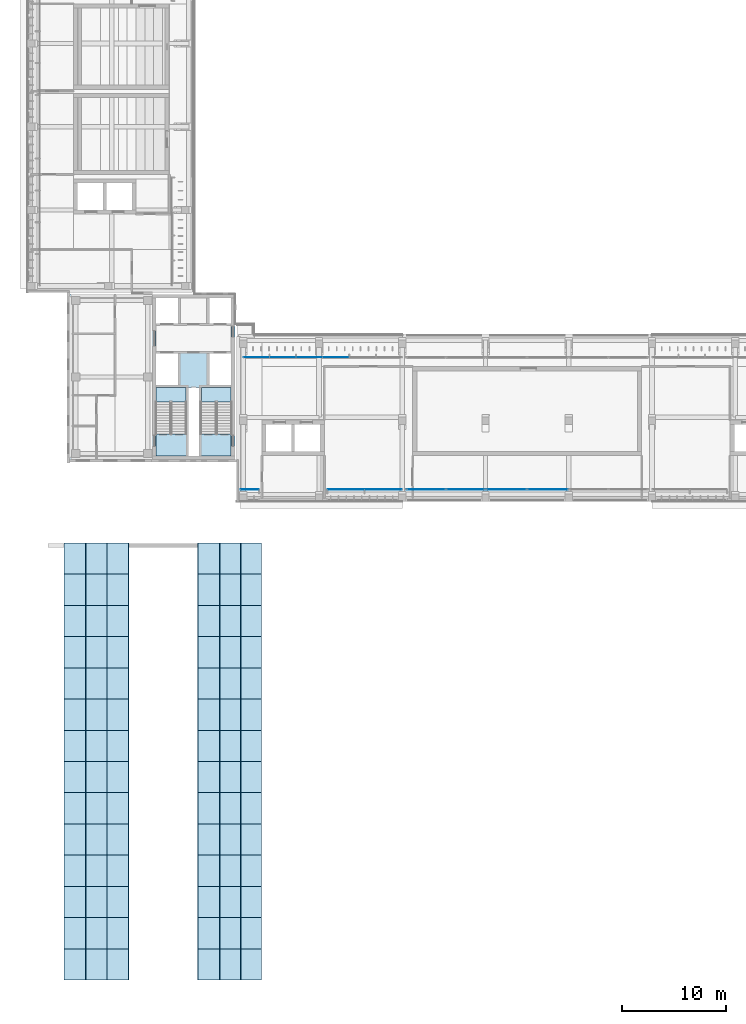
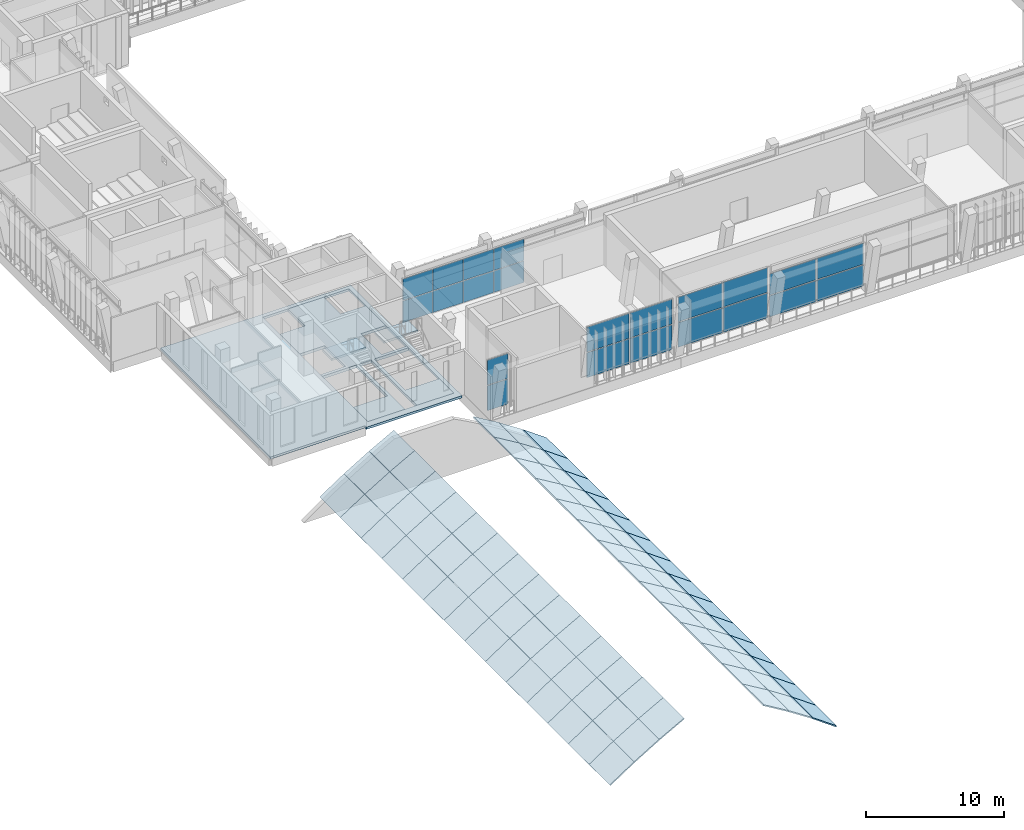
# One storey, part 36 of 74: 88 slabs, 22 plates, 7 elements without a shape of their own.
"""IFC4 building model written with IfcOpenShell, lengths in metres."""

import ifcopenshell
import ifcopenshell.guid

model = None  # the IFC model being written
_history = None  # IfcOwnerHistory: only IFC2X3 demands one
_inside = {}  # id of a spatial element -> (the spatial element, [elements in it])
_under = {}  # id of a project, library or spatial element -> (it, [spatial elements below it])
_declared = {}  # id of a project -> (the project, [libraries it declares])
_typed = {}  # id of a type object -> (the type object, [elements of that type])
_made_of = {}  # id of a material, layer set ... -> (it, [elements and type objects made of it])


def new_model(schema):
    """Start an empty IFC model of exactly this schema.

    Asked for "IFC4X3", IfcOpenShell would pick the latest addendum, in which some entities
    have other attributes; the version numbers below select the first issue.
    IFC2X3 requires an IfcOwnerHistory on every rooted entity: one is made here for all.
    """
    global model, _history
    if schema == "IFC4X3":
        model = ifcopenshell.file(schema_version=(4, 3, 0, 0))
    else:
        model = ifcopenshell.file(schema=schema)
    _inside.clear()
    _under.clear()
    _declared.clear()
    _typed.clear()
    _made_of.clear()
    _history = None
    if model.schema == "IFC2X3":
        org = make("IfcOrganization", Name="unknown")
        user = make(
            "IfcPersonAndOrganization",
            ThePerson=make("IfcPerson", FamilyName="unknown"),
            TheOrganization=org,
        )
        app = make(
            "IfcApplication",
            ApplicationDeveloper=org,
            Version="unknown",
            ApplicationFullName="unknown",
            ApplicationIdentifier="unknown",
        )
        _history = make(
            "IfcOwnerHistory",
            OwningUser=user,
            OwningApplication=app,
            ChangeAction="ADDED",
            CreationDate=0,
        )
    return model


def make(cls, **values):
    """One entity of the class cls with the attributes given. An attribute that is None is left unset."""
    return model.create_entity(
        cls, **{name: value for name, value in values.items() if value is not None}
    )


def rooted(cls, **values):
    """An entity with a GlobalId (a new one), such as an element, a storey or a relation."""
    return make(cls, GlobalId=ifcopenshell.guid.new(), OwnerHistory=_history, **values)


def si_unit(unit_type, name, prefix=None):
    """IfcSIUnit, for example si_unit("LENGTHUNIT", "METRE", prefix="MILLI")."""
    return make("IfcSIUnit", UnitType=unit_type, Prefix=prefix, Name=name)


def assignment(units):
    """IfcUnitAssignment: the units of a project."""
    return None if units is None else make("IfcUnitAssignment", Units=units)


def point(xyz):
    """IfcCartesianPoint."""
    return None if xyz is None else make("IfcCartesianPoint", Coordinates=xyz)


def direction(xyz):
    """IfcDirection."""
    return None if xyz is None else make("IfcDirection", DirectionRatios=xyz)


def frame(location, z_axis=None, x_axis=None):
    """IfcAxis2Placement3D, a coordinate frame: its origin and axes. An axis left out is left unset."""
    return make(
        "IfcAxis2Placement3D",
        Location=point(location),
        Axis=direction(z_axis),
        RefDirection=direction(x_axis),
    )


def frame_2d(location, x_axis=None):
    """IfcAxis2Placement2D, a coordinate frame in the plane: its origin and x axis."""
    return make(
        "IfcAxis2Placement2D", Location=point(location), RefDirection=direction(x_axis)
    )


def origin():
    """The frame at (0, 0, 0) with its axes left unset."""
    return frame((0.0, 0.0, 0.0))


def origin_2d():
    """The frame at (0, 0) in the plane with its x axis left unset."""
    return frame_2d((0.0, 0.0))


def place(relative_to, where):
    """IfcLocalPlacement: puts the frame where relative to a parent placement (None: the world)."""
    return make(
        "IfcLocalPlacement", PlacementRelTo=relative_to, RelativePlacement=where
    )


def context(
    kind, dimensions, precision=None, world=None, true_north=None, identifier=None
):
    """IfcGeometricRepresentationContext, for example the 3D "Model" context."""
    return make(
        "IfcGeometricRepresentationContext",
        ContextIdentifier=identifier,
        ContextType=kind,
        CoordinateSpaceDimension=dimensions,
        Precision=precision,
        WorldCoordinateSystem=world,
        TrueNorth=true_north,
    )


def subcontext(parent, identifier, kind, view, scale=None):
    """IfcGeometricRepresentationSubContext, for example "Body" below "Model"."""
    return make(
        "IfcGeometricRepresentationSubContext",
        ContextIdentifier=identifier,
        ContextType=kind,
        ParentContext=parent,
        TargetScale=scale,
        TargetView=view,
    )


def project(units=None, contexts=None):
    """IfcProject with its units and contexts."""
    return rooted(
        "IfcProject",
        Name="project",
        RepresentationContexts=contexts,
        UnitsInContext=assignment(units),
    )


def spatial(cls, under=None, at=None, **own):
    """A site, building, storey or space (cls), placed at a placement, below another one or the project."""
    s = rooted(cls, ObjectPlacement=at, **own)
    if under is not None:
        _under.setdefault(under.id(), (under, []))[1].append(s)
    return s


def polyline(points):
    """IfcPolyline through the points."""
    return make("IfcPolyline", Points=[point(p) for p in points])


def profile(cls, at=None, kind="AREA", **sizes):
    """A parametric profile (cls). Its sizes go by their IFC names, for example OverallWidth=200.0."""
    return make(cls, ProfileType=kind, Position=at, **sizes)


def rectangle(**sizes):
    """IfcRectangleProfileDef."""
    return profile("IfcRectangleProfileDef", **sizes)


def outline(outer, holes=None, kind="AREA"):
    """IfcArbitraryClosedProfileDef: a profile drawn as a closed curve; with holes, ...WithVoids."""
    if holes is None:
        return make("IfcArbitraryClosedProfileDef", ProfileType=kind, OuterCurve=outer)
    return make(
        "IfcArbitraryProfileDefWithVoids",
        ProfileType=kind,
        OuterCurve=outer,
        InnerCurves=holes,
    )


def extrude(swept, where, along, depth):
    """IfcExtrudedAreaSolid: the profile swept, set in the frame where, extruded along a direction by depth."""
    return make(
        "IfcExtrudedAreaSolid",
        SweptArea=swept,
        Position=where,
        ExtrudedDirection=direction(along),
        Depth=depth,
    )


def shape(context_of_items, identifier, shape_type, items):
    """IfcShapeRepresentation: the items that make up one representation, for example the "Body"."""
    return make(
        "IfcShapeRepresentation",
        ContextOfItems=context_of_items,
        RepresentationIdentifier=identifier,
        RepresentationType=shape_type,
        Items=items,
    )


def material(Name=None, Category=None):
    """IfcMaterial."""
    return make("IfcMaterial", Name=Name, Category=Category)


def layer(
    of_material, thickness, ventilated=None, Name=None, Category=None, Priority=None
):
    """IfcMaterialLayer: one layer of a wall or slab, of a material (None: an air gap)."""
    return make(
        "IfcMaterialLayer",
        Material=of_material,
        LayerThickness=thickness,
        IsVentilated=ventilated,
        Name=Name,
        Category=Category,
        Priority=Priority,
    )


def layer_set(layers, Name=None):
    """IfcMaterialLayerSet."""
    return make("IfcMaterialLayerSet", MaterialLayers=layers, LayerSetName=Name)


def made_of(thing, what):
    """Note that an element or type object is made of a material, layer set ...; save() writes the relation."""
    if what is not None:
        _made_of.setdefault(what.id(), (what, []))[1].append(thing)
    return thing


def type_object(cls, material=None, **own):
    """A type object (cls), such as IfcWallType, which elements share."""
    return made_of(rooted(cls, **own), material)


def element(
    cls,
    number,
    at=None,
    inside=None,
    cuts=None,
    type_object=None,
    material=None,
    context=None,
    identifier="Body",
    shape_type=None,
    held_by="IfcProductDefinitionShape",
    body=None,
    shapes=None,
    **own,
):
    """One element of the class cls, such as IfcWall. Its Tag is "e" and its number.

    at: its placement. inside: the storey or other place that contains it. cuts: it is an
    opening in that element (IfcRelVoidsElement). A single representation is given by context,
    identifier, shape_type and body (its items); several are given by shapes. held_by: the class
    of the entity that holds the representations. save() writes the other relations.
    """
    e = rooted(cls, Tag="e%d" % number, ObjectPlacement=at, **own)
    if body is not None:
        shapes = [shape(context, identifier, shape_type, body)]
    if shapes is not None:
        e.Representation = make(held_by, Representations=shapes)
    if inside is not None:
        _inside.setdefault(inside.id(), (inside, []))[1].append(e)
    if cuts is not None:
        rooted(
            "IfcRelVoidsElement", RelatingBuildingElement=cuts, RelatedOpeningElement=e
        )
    if type_object is not None:
        _typed.setdefault(type_object.id(), (type_object, []))[1].append(e)
    return made_of(e, material)


def aggregate(whole, parts):
    """IfcRelAggregates: a whole, such as a stair, and the parts it consists of."""
    return rooted("IfcRelAggregates", RelatingObject=whole, RelatedObjects=parts)


def save(model, path):
    """Write the relations noted so far, then the file.

    IfcRelAggregates (storeys below a building ...), IfcRelContainedInSpatialStructure (elements
    in a storey), IfcRelDefinesByType, IfcRelAssociatesMaterial and IfcRelDeclares: one each for
    every whole, place, type object, material and project.
    """
    for whole, parts in _under.values():
        aggregate(whole, parts)
    for where, things in _inside.values():
        rooted(
            "IfcRelContainedInSpatialStructure",
            RelatedElements=things,
            RelatingStructure=where,
        )
    for kind, things in _typed.values():
        rooted("IfcRelDefinesByType", RelatedObjects=things, RelatingType=kind)
    for what, things in _made_of.values():
        rooted("IfcRelAssociatesMaterial", RelatedObjects=things, RelatingMaterial=what)
    for by, libraries in _declared.values():
        rooted("IfcRelDeclares", RelatingContext=by, RelatedDefinitions=libraries)
    model.write(path)


model = new_model("IFC4")

# Units and contexts
model_context = context("Model", 3, precision=1e-05, world=origin(), true_north=direction((0.0, 1.0)))
body_context = subcontext(model_context, "Body", "Model", "MODEL_VIEW")
ifc_project = project(units=[si_unit("LENGTHUNIT", "METRE"), si_unit("AREAUNIT", "SQUARE_METRE"), si_unit("VOLUMEUNIT", "CUBIC_METRE"), si_unit("PLANEANGLEUNIT", "RADIAN"), si_unit("MASSUNIT", "GRAM", prefix="KILO")], contexts=[model_context])

# Site, building, storey
site_placement = place(None, origin())
site = spatial("IfcSite", under=ifc_project, at=site_placement, CompositionType="ELEMENT")
building_placement = place(site_placement, origin())
building = spatial("IfcBuilding", under=site, at=building_placement, Name="Lantern Court Media Centre", CompositionType="ELEMENT")
storey_placement = place(building_placement, frame((0.0, 0.0, 19.199951171875)))
storey = spatial("IfcBuildingStorey", under=building, at=storey_placement, Name="L04", CompositionType="ELEMENT", Elevation=19.199951171875)

# Slab
ifc_material_1 = material(Name="Concrete C40", Category="concrete")
ifc_layer_1 = layer(ifc_material_1, 0.25)
ifc_layer_set_1 = layer_set([ifc_layer_1], Name="Concrete C40")
slab_type_1 = type_object("IfcSlabType", Name="Core floor slab 250", PredefinedType="FLOOR", material=ifc_layer_set_1)
slab_1_placement = place(storey_placement, frame((0.0, 0.0, -0.25)))
element("IfcSlab", 1, at=slab_1_placement, inside=storey, type_object=slab_type_1, Name="L04 SW core floor", PredefinedType="FLOOR", context=body_context, shape_type="SweptSolid", body=[
    extrude(outline(polyline([(16.35009765625, 58.199951171875), (16.35009765625, 61.10009765625), (18.449951171875, 61.10009765625), (18.449951171875, 63.550048828125), (21.449951171875, 63.550048828125), (21.449951171875, 61.10009765625), (23.550048828125, 61.10009765625), (23.550048828125, 58.199951171875), (21.449951171875, 58.199951171875), (21.449951171875, 55.199951171875), (23.550048828125, 55.199951171875), (23.550048828125, 54.94970703125), (20.700439453125, 54.94970703125), (20.700439453125, 50.450439453125), (23.550048828125, 50.450439453125), (23.550048828125, 48.35009765625), (20.449951171875, 48.35009765625), (20.449951171875, 54.949951171875), (19.449951171875, 54.949951171875), (19.449951171875, 48.35009765625), (16.35009765625, 48.35009765625), (16.35009765625, 50.450439453125), (19.19970703125, 50.450439453125), (19.19970703125, 54.94970703125), (16.35009765625, 54.94970703125), (16.35009765625, 55.199951171875), (18.449951171875, 55.199951171875), (18.449951171875, 58.199951171875), (16.35009765625, 58.199951171875)])), origin(), (0.0, 0.0, 1.0), 0.25),
])

# Curtain wall, plates
ifc_material_2 = material(Name="Curtain wall bay 2400")
curtain_wall_type_1 = type_object("IfcCurtainWallType", Name="Curtain wall bay 2400", PredefinedType="NOTDEFINED", material=ifc_material_2)
curtain_wall_1_placement = place(storey_placement, origin())
curtain_wall_1 = element("IfcCurtainWall", 2, at=curtain_wall_1_placement, inside=storey, type_object=curtain_wall_type_1, Name="Curtain wall S inner L04", PredefinedType="NOTDEFINED")
ifc_material_3 = material(Name="Low-iron double glazed unit glass", Category="glass")
ifc_layer_2 = layer(ifc_material_3, 0.02392578125)
ifc_layer_set_2 = layer_set([ifc_layer_2], Name="Low-iron double glazed unit glass")
plate_type_1 = type_object("IfcPlateType", Name="Curtain wall glazing unit 24", PredefinedType="CURTAIN_PANEL", material=ifc_layer_set_2)
plate_1_placement = place(storey_placement, frame((25.987548828125, 57.85009765625, 0.050048828125), z_axis=(0.0, 0.0, 1.0), x_axis=(1.0, 0.0, 0.0)))
plate_1 = element("IfcPlate", 3, at=plate_1_placement, type_object=plate_type_1, Name="CW2 panel 1.1", PredefinedType="CURTAIN_PANEL", context=body_context, shape_type="SweptSolid", body=[
    extrude(rectangle(XDim=2.47509765625, YDim=0.02392578125, at=origin_2d()), origin(), (0.0, 0.0, 1.0), 1.89990234375),
])
plate_2_placement = place(storey_placement, frame((25.987548828125, 57.85009765625, 2.0), z_axis=(0.0, 0.0, 1.0), x_axis=(1.0, 0.0, 0.0)))
plate_2 = element("IfcPlate", 4, at=plate_2_placement, type_object=plate_type_1, Name="CW2 panel 1.2", PredefinedType="CURTAIN_PANEL", context=body_context, shape_type="SweptSolid", body=[
    extrude(rectangle(XDim=2.47509765625, YDim=0.02392578125, at=origin_2d()), origin(), (0.0, 0.0, 1.0), 1.89990234375),
])
plate_3_placement = place(storey_placement, frame((28.52490234375, 57.85009765625, 0.050048828125), z_axis=(0.0, 0.0, 1.0), x_axis=(1.0, 0.0, 0.0)))
plate_3 = element("IfcPlate", 5, at=plate_3_placement, type_object=plate_type_1, Name="CW2 panel 2.1", PredefinedType="CURTAIN_PANEL", context=body_context, shape_type="SweptSolid", body=[
    extrude(rectangle(XDim=2.5, YDim=0.02392578125, at=origin_2d()), origin(), (0.0, 0.0, 1.0), 1.89990234375),
])
plate_4_placement = place(storey_placement, frame((28.52490234375, 57.85009765625, 2.0), z_axis=(0.0, 0.0, 1.0), x_axis=(1.0, 0.0, 0.0)))
plate_4 = element("IfcPlate", 6, at=plate_4_placement, type_object=plate_type_1, Name="CW2 panel 2.2", PredefinedType="CURTAIN_PANEL", context=body_context, shape_type="SweptSolid", body=[
    extrude(rectangle(XDim=2.5, YDim=0.02392578125, at=origin_2d()), origin(), (0.0, 0.0, 1.0), 1.89990234375),
])
plate_5_placement = place(storey_placement, frame((31.074951171875, 57.85009765625, 0.050048828125), z_axis=(0.0, 0.0, 1.0), x_axis=(1.0, 0.0, 0.0)))
plate_5 = element("IfcPlate", 7, at=plate_5_placement, type_object=plate_type_1, Name="CW2 panel 3.1", PredefinedType="CURTAIN_PANEL", context=body_context, shape_type="SweptSolid", body=[
    extrude(rectangle(XDim=2.5, YDim=0.02392578125, at=origin_2d()), origin(), (0.0, 0.0, 1.0), 1.89990234375),
])
plate_6_placement = place(storey_placement, frame((31.074951171875, 57.85009765625, 2.0), z_axis=(0.0, 0.0, 1.0), x_axis=(1.0, 0.0, 0.0)))
plate_6 = element("IfcPlate", 8, at=plate_6_placement, type_object=plate_type_1, Name="CW2 panel 3.2", PredefinedType="CURTAIN_PANEL", context=body_context, shape_type="SweptSolid", body=[
    extrude(rectangle(XDim=2.5, YDim=0.02392578125, at=origin_2d()), origin(), (0.0, 0.0, 1.0), 1.89990234375),
])
plate_7_placement = place(storey_placement, frame((33.625, 57.85009765625, 0.050048828125), z_axis=(0.0, 0.0, 1.0), x_axis=(1.0, 0.0, 0.0)))
plate_7 = element("IfcPlate", 9, at=plate_7_placement, type_object=plate_type_1, Name="CW2 panel 4.1", PredefinedType="CURTAIN_PANEL", context=body_context, shape_type="SweptSolid", body=[
    extrude(rectangle(XDim=2.5, YDim=0.02392578125, at=origin_2d()), origin(), (0.0, 0.0, 1.0), 1.89990234375),
])
plate_8_placement = place(storey_placement, frame((33.625, 57.85009765625, 2.0), z_axis=(0.0, 0.0, 1.0), x_axis=(1.0, 0.0, 0.0)))
plate_8 = element("IfcPlate", 10, at=plate_8_placement, type_object=plate_type_1, Name="CW2 panel 4.2", PredefinedType="CURTAIN_PANEL", context=body_context, shape_type="SweptSolid", body=[
    extrude(rectangle(XDim=2.5, YDim=0.02392578125, at=origin_2d()), origin(), (0.0, 0.0, 1.0), 1.89990234375),
])
aggregate(curtain_wall_1, [plate_1, plate_2, plate_3, plate_4, plate_5, plate_6, plate_7, plate_8])

ifc_material_4 = material(Name="Curtain wall bay 3000")
curtain_wall_type_2 = type_object("IfcCurtainWallType", Name="Curtain wall bay 3000", PredefinedType="NOTDEFINED", material=ifc_material_4)
curtain_wall_2_placement = place(storey_placement, origin())
curtain_wall_2 = element("IfcCurtainWall", 11, at=curtain_wall_2_placement, inside=storey, type_object=curtain_wall_type_2, Name="Curtain wall S outer L04", PredefinedType="NOTDEFINED")
ifc_layer_3 = layer(ifc_material_3, 0.028076171875)
ifc_layer_set_3 = layer_set([ifc_layer_3], Name="Low-iron double glazed unit glass")
plate_type_2 = type_object("IfcPlateType", Name="Curtain wall glazing unit 28", PredefinedType="CURTAIN_PANEL", material=ifc_layer_set_3)
plate_9_placement = place(storey_placement, frame((25.3349609375, 45.14990234375, 0.06005859375), z_axis=(0.0, 0.0, 1.0), x_axis=(1.0, 0.0, 0.0)))
plate_9 = element("IfcPlate", 12, at=plate_9_placement, type_object=plate_type_2, Name="CW1 panel 1.1", PredefinedType="CURTAIN_PANEL", context=body_context, shape_type="SweptSolid", body=[
    extrude(rectangle(XDim=1.7099609375, YDim=0.028076171875, at=origin_2d()), origin(), (0.0, 0.0, 1.0), 2.199951171875),
])
plate_10_placement = place(storey_placement, frame((25.3349609375, 45.14990234375, 2.3203125), z_axis=(0.0, 0.0, 1.0), x_axis=(1.0, 0.0, 0.0)))
plate_10 = element("IfcPlate", 13, at=plate_10_placement, type_object=plate_type_2, Name="CW1 panel 1.2", PredefinedType="CURTAIN_PANEL", context=body_context, shape_type="SweptSolid", body=[
    extrude(rectangle(XDim=1.7099609375, YDim=0.028076171875, at=origin_2d()), origin(), (0.0, 0.0, 1.0), 2.199951171875),
])
aggregate(curtain_wall_2, [plate_9, plate_10])

curtain_wall_3_placement = place(storey_placement, origin())
curtain_wall_3 = element("IfcCurtainWall", 14, at=curtain_wall_3_placement, inside=storey, type_object=curtain_wall_type_2, Name="Curtain wall S outer L04", PredefinedType="NOTDEFINED")
plate_11_placement = place(storey_placement, frame((34.577392578125, 45.14990234375, 0.06005859375), z_axis=(0.0, 0.0, 1.0), x_axis=(1.0, 0.0, 0.0)))
plate_11 = element("IfcPlate", 15, at=plate_11_placement, type_object=plate_type_2, Name="CW1 panel 1.1", PredefinedType="CURTAIN_PANEL", context=body_context, shape_type="SweptSolid", body=[
    extrude(rectangle(XDim=3.534912109375, YDim=0.028076171875, at=origin_2d()), origin(), (0.0, 0.0, 1.0), 2.199951171875),
])
plate_12_placement = place(storey_placement, frame((34.577392578125, 45.14990234375, 2.3203125), z_axis=(0.0, 0.0, 1.0), x_axis=(1.0, 0.0, 0.0)))
plate_12 = element("IfcPlate", 16, at=plate_12_placement, type_object=plate_type_2, Name="CW1 panel 1.2", PredefinedType="CURTAIN_PANEL", context=body_context, shape_type="SweptSolid", body=[
    extrude(rectangle(XDim=3.534912109375, YDim=0.028076171875, at=origin_2d()), origin(), (0.0, 0.0, 1.0), 2.199951171875),
])
plate_13_placement = place(storey_placement, frame((38.172607421875, 45.14990234375, 0.06005859375), z_axis=(0.0, 0.0, 1.0), x_axis=(1.0, 0.0, 0.0)))
plate_13 = element("IfcPlate", 17, at=plate_13_placement, type_object=plate_type_2, Name="CW1 panel 2.1", PredefinedType="CURTAIN_PANEL", context=body_context, shape_type="SweptSolid", body=[
    extrude(rectangle(XDim=3.534912109375, YDim=0.028076171875, at=origin_2d()), origin(), (0.0, 0.0, 1.0), 2.199951171875),
])
plate_14_placement = place(storey_placement, frame((38.172607421875, 45.14990234375, 2.3203125), z_axis=(0.0, 0.0, 1.0), x_axis=(1.0, 0.0, 0.0)))
plate_14 = element("IfcPlate", 18, at=plate_14_placement, type_object=plate_type_2, Name="CW1 panel 2.2", PredefinedType="CURTAIN_PANEL", context=body_context, shape_type="SweptSolid", body=[
    extrude(rectangle(XDim=3.534912109375, YDim=0.028076171875, at=origin_2d()), origin(), (0.0, 0.0, 1.0), 2.199951171875),
])
aggregate(curtain_wall_3, [plate_11, plate_12, plate_13, plate_14])

ifc_material_5 = material(Name="Curtain wall bay 4000")
curtain_wall_type_3 = type_object("IfcCurtainWallType", Name="Curtain wall bay 4000", PredefinedType="NOTDEFINED", material=ifc_material_5)
curtain_wall_4_placement = place(storey_placement, origin())
curtain_wall_4 = element("IfcCurtainWall", 19, at=curtain_wall_4_placement, inside=storey, type_object=curtain_wall_type_3, Name="Curtain wall S outer L04", PredefinedType="NOTDEFINED")
ifc_material_6 = material(Name="Laminated low-iron glass", Category="glass")
ifc_layer_4 = layer(ifc_material_6, 0.0400390625)
ifc_layer_set_4 = layer_set([ifc_layer_4], Name="Laminated low-iron glass")
plate_type_3 = type_object("IfcPlateType", Name="Curtain wall glazing unit 40", PredefinedType="CURTAIN_PANEL", material=ifc_layer_set_4)
plate_15_placement = place(storey_placement, frame((42.282470703125, 45.14990234375, 0.080078125), z_axis=(0.0, 0.0, 1.0), x_axis=(1.0, 0.0, 0.0)))
plate_15 = element("IfcPlate", 20, at=plate_15_placement, type_object=plate_type_3, Name="CW3 panel 1.1", PredefinedType="CURTAIN_PANEL", context=body_context, shape_type="SweptSolid", body=[
    extrude(rectangle(XDim=3.705078125, YDim=0.0400390625, at=origin_2d()), origin(), (0.0, 0.0, 1.0), 2.169921875),
])
plate_16_placement = place(storey_placement, frame((42.282470703125, 45.14990234375, 2.330078125), z_axis=(0.0, 0.0, 1.0), x_axis=(1.0, 0.0, 0.0)))
plate_16 = element("IfcPlate", 21, at=plate_16_placement, type_object=plate_type_3, Name="CW3 panel 1.2", PredefinedType="CURTAIN_PANEL", context=body_context, shape_type="SweptSolid", body=[
    extrude(rectangle(XDim=3.705078125, YDim=0.0400390625, at=origin_2d()), origin(), (0.0, 0.0, 1.0), 2.169921875),
])
plate_17_placement = place(storey_placement, frame((46.0673828125, 45.14990234375, 0.080078125), z_axis=(0.0, 0.0, 1.0), x_axis=(1.0, 0.0, 0.0)))
plate_17 = element("IfcPlate", 22, at=plate_17_placement, type_object=plate_type_3, Name="CW3 panel 2.1", PredefinedType="CURTAIN_PANEL", context=body_context, shape_type="SweptSolid", body=[
    extrude(rectangle(XDim=3.705078125, YDim=0.0400390625, at=origin_2d()), origin(), (0.0, 0.0, 1.0), 2.169921875),
])
plate_18_placement = place(storey_placement, frame((46.0673828125, 45.14990234375, 2.330078125), z_axis=(0.0, 0.0, 1.0), x_axis=(1.0, 0.0, 0.0)))
plate_18 = element("IfcPlate", 23, at=plate_18_placement, type_object=plate_type_3, Name="CW3 panel 2.2", PredefinedType="CURTAIN_PANEL", context=body_context, shape_type="SweptSolid", body=[
    extrude(rectangle(XDim=3.705078125, YDim=0.0400390625, at=origin_2d()), origin(), (0.0, 0.0, 1.0), 2.169921875),
])
aggregate(curtain_wall_4, [plate_15, plate_16, plate_17, plate_18])

curtain_wall_5_placement = place(storey_placement, origin())
curtain_wall_5 = element("IfcCurtainWall", 24, at=curtain_wall_5_placement, inside=storey, type_object=curtain_wall_type_3, Name="Curtain wall S outer L04", PredefinedType="NOTDEFINED")
plate_19_placement = place(storey_placement, frame((50.02001953125, 45.14990234375, 0.080078125), z_axis=(0.0, 0.0, 1.0), x_axis=(1.0, 0.0, 0.0)))
plate_19 = element("IfcPlate", 25, at=plate_19_placement, type_object=plate_type_3, Name="CW3 panel 1.1", PredefinedType="CURTAIN_PANEL", context=body_context, shape_type="SweptSolid", body=[
    extrude(rectangle(XDim=3.8798828125, YDim=0.0400390625, at=origin_2d()), origin(), (0.0, 0.0, 1.0), 1.85498046875),
])
plate_20_placement = place(storey_placement, frame((50.02001953125, 45.14990234375, 2.01513671875), z_axis=(0.0, 0.0, 1.0), x_axis=(1.0, 0.0, 0.0)))
plate_20 = element("IfcPlate", 26, at=plate_20_placement, type_object=plate_type_3, Name="CW3 panel 1.2", PredefinedType="CURTAIN_PANEL", context=body_context, shape_type="SweptSolid", body=[
    extrude(rectangle(XDim=3.8798828125, YDim=0.0400390625, at=origin_2d()), origin(), (0.0, 0.0, 1.0), 1.85498046875),
])
plate_21_placement = place(storey_placement, frame((53.97998046875, 45.14990234375, 0.080078125), z_axis=(0.0, 0.0, 1.0), x_axis=(1.0, 0.0, 0.0)))
plate_21 = element("IfcPlate", 27, at=plate_21_placement, type_object=plate_type_3, Name="CW3 panel 2.1", PredefinedType="CURTAIN_PANEL", context=body_context, shape_type="SweptSolid", body=[
    extrude(rectangle(XDim=3.8798828125, YDim=0.0400390625, at=origin_2d()), origin(), (0.0, 0.0, 1.0), 1.85498046875),
])
plate_22_placement = place(storey_placement, frame((53.97998046875, 45.14990234375, 2.01513671875), z_axis=(0.0, 0.0, 1.0), x_axis=(1.0, 0.0, 0.0)))
plate_22 = element("IfcPlate", 28, at=plate_22_placement, type_object=plate_type_3, Name="CW3 panel 2.2", PredefinedType="CURTAIN_PANEL", context=body_context, shape_type="SweptSolid", body=[
    extrude(rectangle(XDim=3.8798828125, YDim=0.0400390625, at=origin_2d()), origin(), (0.0, 0.0, 1.0), 1.85498046875),
])
aggregate(curtain_wall_5, [plate_19, plate_20, plate_21, plate_22])

# Slabs
ifc_material_7 = material(Name="Zinc standing seam on insulation")
ifc_layer_5 = layer(ifc_material_7, 0.10009765625)
ifc_layer_set_5 = layer_set([ifc_layer_5], Name="Zinc standing seam on insulation")
slab_type_2 = type_object("IfcSlabType", Name="Hall roof panel, standing seam 100", PredefinedType="ROOF", material=ifc_layer_set_5)
for number, where, z_axis, x_axis, name in (
    (29, (7.499267578125, -2.0, 1.50634765625), (-0.549710510275, 0.0, 0.83535522677), (0.83535522677, 0.0, 0.549710510275), "Cinema Hall roof panel"),
    (30, (7.499267578125, 1.0, 1.50634765625), (-0.549710510275, 0.0, 0.83535522677), (0.83535522677, 0.0, 0.549710510275), "Cinema Hall roof panel"),
    (31, (7.499267578125, 4.0, 1.50634765625), (-0.549710510275, 0.0, 0.83535522677), (0.83535522677, 0.0, 0.549710510275), "Cinema Hall roof panel"),
    (32, (7.499267578125, 7.0, 1.50634765625), (-0.549710510275, 0.0, 0.83535522677), (0.83535522677, 0.0, 0.549710510275), "Cinema Hall roof panel"),
    (33, (7.499267578125, 10.0, 1.50634765625), (-0.549710510275, 0.0, 0.83535522677), (0.83535522677, 0.0, 0.549710510275), "Cinema Hall roof panel"),
    (34, (7.499267578125, 13.0, 1.50634765625), (-0.549710510275, 0.0, 0.83535522677), (0.83535522677, 0.0, 0.549710510275), "Cinema Hall roof panel"),
    (35, (7.499267578125, 16.0, 1.50634765625), (-0.549710510275, 0.0, 0.83535522677), (0.83535522677, 0.0, 0.549710510275), "Cinema Hall roof panel"),
    (36, (7.499267578125, 19.0, 1.50634765625), (-0.549710510275, 0.0, 0.83535522677), (0.83535522677, 0.0, 0.549710510275), "Cinema Hall roof panel"),
    (37, (7.499267578125, 22.0, 1.50634765625), (-0.549710510275, 0.0, 0.83535522677), (0.83535522677, 0.0, 0.549710510275), "Cinema Hall roof panel"),
    (38, (7.499267578125, 25.0, 1.50634765625), (-0.549710510275, 0.0, 0.83535522677), (0.83535522677, 0.0, 0.549710510275), "Cinema Hall roof panel"),
    (39, (7.499267578125, 28.0, 1.50634765625), (-0.549710510275, 0.0, 0.83535522677), (0.83535522677, 0.0, 0.549710510275), "Cinema Hall roof panel"),
    (40, (7.499267578125, 31.0, 1.50634765625), (-0.549710510275, 0.0, 0.83535522677), (0.83535522677, 0.0, 0.549710510275), "Cinema Hall roof panel"),
    (41, (7.499267578125, 34.0, 1.50634765625), (-0.549710510275, 0.0, 0.83535522677), (0.83535522677, 0.0, 0.549710510275), "Cinema Hall roof panel"),
    (42, (7.499267578125, 37.0, 1.50634765625), (-0.549710510275, 0.0, 0.83535522677), (0.83535522677, 0.0, 0.549710510275), "Cinema Hall roof panel"),
):
    element("IfcSlab", number, at=place(storey_placement, frame(where, z_axis=z_axis, x_axis=x_axis)), inside=storey, type_object=slab_type_2, Name=name, PredefinedType="ROOF", context=body_context, shape_type="SweptSolid", body=[
        extrude(outline(polyline([(0.0, 0.0), (2.4324770549777996, 0.0), (2.4324770549777996, 3.0), (0.0, 3.0), (0.0, 0.0)])), origin(), (0.0, 0.0, -1.0), 0.10009765625),
    ])
for number, where, z_axis, x_axis, name in (
    (43, (9.5390625, -2.0, 2.848388671875), (-0.515277803867, 0.0, 0.857023211379), (0.857023211379, 0.0, 0.515277803867), "Cinema Hall roof panel"),
    (44, (9.5390625, 1.0, 2.848388671875), (-0.515277803867, 0.0, 0.857023211379), (0.857023211379, 0.0, 0.515277803867), "Cinema Hall roof panel"),
    (45, (9.5390625, 4.0, 2.848388671875), (-0.515277803867, 0.0, 0.857023211379), (0.857023211379, 0.0, 0.515277803867), "Cinema Hall roof panel"),
    (46, (9.5390625, 7.0, 2.848388671875), (-0.515277803867, 0.0, 0.857023211379), (0.857023211379, 0.0, 0.515277803867), "Cinema Hall roof panel"),
    (47, (9.5390625, 10.0, 2.848388671875), (-0.515277803867, 0.0, 0.857023211379), (0.857023211379, 0.0, 0.515277803867), "Cinema Hall roof panel"),
    (48, (9.5390625, 13.0, 2.848388671875), (-0.515277803867, 0.0, 0.857023211379), (0.857023211379, 0.0, 0.515277803867), "Cinema Hall roof panel"),
    (49, (9.5390625, 16.0, 2.848388671875), (-0.515277803867, 0.0, 0.857023211379), (0.857023211379, 0.0, 0.515277803867), "Cinema Hall roof panel"),
    (50, (9.5390625, 19.0, 2.848388671875), (-0.515277803867, 0.0, 0.857023211379), (0.857023211379, 0.0, 0.515277803867), "Cinema Hall roof panel"),
    (51, (9.5390625, 22.0, 2.848388671875), (-0.515277803867, 0.0, 0.857023211379), (0.857023211379, 0.0, 0.515277803867), "Cinema Hall roof panel"),
    (52, (9.5390625, 25.0, 2.848388671875), (-0.515277803867, 0.0, 0.857023211379), (0.857023211379, 0.0, 0.515277803867), "Cinema Hall roof panel"),
    (53, (9.5390625, 28.0, 2.848388671875), (-0.515277803867, 0.0, 0.857023211379), (0.857023211379, 0.0, 0.515277803867), "Cinema Hall roof panel"),
    (54, (9.5390625, 31.0, 2.848388671875), (-0.515277803867, 0.0, 0.857023211379), (0.857023211379, 0.0, 0.515277803867), "Cinema Hall roof panel"),
    (55, (9.5390625, 34.0, 2.848388671875), (-0.515277803867, 0.0, 0.857023211379), (0.857023211379, 0.0, 0.515277803867), "Cinema Hall roof panel"),
    (56, (9.5390625, 37.0, 2.848388671875), (-0.515277803867, 0.0, 0.857023211379), (0.857023211379, 0.0, 0.515277803867), "Cinema Hall roof panel"),
):
    element("IfcSlab", number, at=place(storey_placement, frame(where, z_axis=z_axis, x_axis=x_axis)), inside=storey, type_object=slab_type_2, Name=name, PredefinedType="ROOF", context=body_context, shape_type="SweptSolid", body=[
        extrude(outline(polyline([(0.0, 0.0), (2.432509142338038, 0.0), (2.432509142338038, 3.0), (0.0, 3.0), (0.0, 0.0)])), origin(), (0.0, 0.0, -1.0), 0.10009765625),
    ])
for number, where, z_axis, x_axis, name in (
    (57, (11.631591796875, -2.0, 4.1064453125), (-0.479979939595, 0.0, 0.877279463789), (0.877279463789, 0.0, 0.479979939595), "Cinema Hall roof panel"),
    (58, (11.631591796875, 1.0, 4.1064453125), (-0.479979939595, 0.0, 0.877279463789), (0.877279463789, 0.0, 0.479979939595), "Cinema Hall roof panel"),
    (59, (11.631591796875, 4.0, 4.1064453125), (-0.479979939595, 0.0, 0.877279463789), (0.877279463789, 0.0, 0.479979939595), "Cinema Hall roof panel"),
    (60, (11.631591796875, 7.0, 4.1064453125), (-0.479979939595, 0.0, 0.877279463789), (0.877279463789, 0.0, 0.479979939595), "Cinema Hall roof panel"),
    (61, (11.631591796875, 10.0, 4.1064453125), (-0.479979939595, 0.0, 0.877279463789), (0.877279463789, 0.0, 0.479979939595), "Cinema Hall roof panel"),
    (62, (11.631591796875, 13.0, 4.1064453125), (-0.479979939595, 0.0, 0.877279463789), (0.877279463789, 0.0, 0.479979939595), "Cinema Hall roof panel"),
    (63, (11.631591796875, 16.0, 4.1064453125), (-0.479979939595, 0.0, 0.877279463789), (0.877279463789, 0.0, 0.479979939595), "Cinema Hall roof panel"),
    (64, (11.631591796875, 19.0, 4.1064453125), (-0.479979939595, 0.0, 0.877279463789), (0.877279463789, 0.0, 0.479979939595), "Cinema Hall roof panel"),
    (65, (11.631591796875, 22.0, 4.1064453125), (-0.479979939595, 0.0, 0.877279463789), (0.877279463789, 0.0, 0.479979939595), "Cinema Hall roof panel"),
    (66, (11.631591796875, 25.0, 4.1064453125), (-0.479979939595, 0.0, 0.877279463789), (0.877279463789, 0.0, 0.479979939595), "Cinema Hall roof panel"),
    (67, (11.631591796875, 28.0, 4.1064453125), (-0.479979939595, 0.0, 0.877279463789), (0.877279463789, 0.0, 0.479979939595), "Cinema Hall roof panel"),
    (68, (11.631591796875, 31.0, 4.1064453125), (-0.479979939595, 0.0, 0.877279463789), (0.877279463789, 0.0, 0.479979939595), "Cinema Hall roof panel"),
    (69, (11.631591796875, 34.0, 4.1064453125), (-0.479979939595, 0.0, 0.877279463789), (0.877279463789, 0.0, 0.479979939595), "Cinema Hall roof panel"),
    (70, (11.631591796875, 37.0, 4.1064453125), (-0.479979939595, 0.0, 0.877279463789), (0.877279463789, 0.0, 0.479979939595), "Cinema Hall roof panel"),
):
    element("IfcSlab", number, at=place(storey_placement, frame(where, z_axis=z_axis, x_axis=x_axis)), inside=storey, type_object=slab_type_2, Name=name, PredefinedType="ROOF", context=body_context, shape_type="SweptSolid", body=[
        extrude(outline(polyline([(0.0, 0.0), (2.36521115279827, 0.0), (2.36521115279827, 3.0), (0.0, 3.0), (0.0, 0.0)])), origin(), (0.0, 0.0, -1.0), 0.10009765625),
    ])
for number, where, z_axis, x_axis, name in (
    (71, (20.376220703125, -2.0, 4.101806640625), (0.515277803867, 0.0, 0.857023211379), (0.857023211379, 0.0, -0.515277803867), "Cinema Hall roof panel"),
    (72, (20.376220703125, 1.0, 4.101806640625), (0.515277803867, 0.0, 0.857023211379), (0.857023211379, 0.0, -0.515277803867), "Cinema Hall roof panel"),
    (73, (20.376220703125, 4.0, 4.101806640625), (0.515277803867, 0.0, 0.857023211379), (0.857023211379, 0.0, -0.515277803867), "Cinema Hall roof panel"),
    (74, (20.376220703125, 7.0, 4.101806640625), (0.515277803867, 0.0, 0.857023211379), (0.857023211379, 0.0, -0.515277803867), "Cinema Hall roof panel"),
    (75, (20.376220703125, 10.0, 4.101806640625), (0.515277803867, 0.0, 0.857023211379), (0.857023211379, 0.0, -0.515277803867), "Cinema Hall roof panel"),
    (76, (20.376220703125, 13.0, 4.101806640625), (0.515277803867, 0.0, 0.857023211379), (0.857023211379, 0.0, -0.515277803867), "Cinema Hall roof panel"),
    (77, (20.376220703125, 16.0, 4.101806640625), (0.515277803867, 0.0, 0.857023211379), (0.857023211379, 0.0, -0.515277803867), "Cinema Hall roof panel"),
    (78, (20.376220703125, 19.0, 4.101806640625), (0.515277803867, 0.0, 0.857023211379), (0.857023211379, 0.0, -0.515277803867), "Cinema Hall roof panel"),
    (79, (20.376220703125, 22.0, 4.101806640625), (0.515277803867, 0.0, 0.857023211379), (0.857023211379, 0.0, -0.515277803867), "Cinema Hall roof panel"),
    (80, (20.376220703125, 25.0, 4.101806640625), (0.515277803867, 0.0, 0.857023211379), (0.857023211379, 0.0, -0.515277803867), "Cinema Hall roof panel"),
    (81, (20.376220703125, 28.0, 4.101806640625), (0.515277803867, 0.0, 0.857023211379), (0.857023211379, 0.0, -0.515277803867), "Cinema Hall roof panel"),
    (82, (20.376220703125, 31.0, 4.101806640625), (0.515277803867, 0.0, 0.857023211379), (0.857023211379, 0.0, -0.515277803867), "Cinema Hall roof panel"),
    (83, (20.376220703125, 34.0, 4.101806640625), (0.515277803867, 0.0, 0.857023211379), (0.857023211379, 0.0, -0.515277803867), "Cinema Hall roof panel"),
    (84, (20.376220703125, 37.0, 4.101806640625), (0.515277803867, 0.0, 0.857023211379), (0.857023211379, 0.0, -0.515277803867), "Cinema Hall roof panel"),
):
    element("IfcSlab", number, at=place(storey_placement, frame(where, z_axis=z_axis, x_axis=x_axis)), inside=storey, type_object=slab_type_2, Name=name, PredefinedType="ROOF", context=body_context, shape_type="SweptSolid", body=[
        extrude(outline(polyline([(0.0, 0.0), (2.432509142338038, 0.0), (2.432509142338038, 3.0), (0.0, 3.0), (0.0, 0.0)])), origin(), (0.0, 0.0, -1.0), 0.10009765625),
    ])
for number, where, z_axis, x_axis, name in (
    (85, (22.46875, -2.0, 2.843505859375), (0.549710510275, 0.0, 0.83535522677), (0.83535522677, 0.0, -0.549710510275), "Cinema Hall roof panel"),
    (86, (22.46875, 1.0, 2.843505859375), (0.549710510275, 0.0, 0.83535522677), (0.83535522677, 0.0, -0.549710510275), "Cinema Hall roof panel"),
    (87, (22.46875, 4.0, 2.843505859375), (0.549710510275, 0.0, 0.83535522677), (0.83535522677, 0.0, -0.549710510275), "Cinema Hall roof panel"),
    (88, (22.46875, 7.0, 2.843505859375), (0.549710510275, 0.0, 0.83535522677), (0.83535522677, 0.0, -0.549710510275), "Cinema Hall roof panel"),
    (89, (22.46875, 10.0, 2.843505859375), (0.549710510275, 0.0, 0.83535522677), (0.83535522677, 0.0, -0.549710510275), "Cinema Hall roof panel"),
    (90, (22.46875, 13.0, 2.843505859375), (0.549710510275, 0.0, 0.83535522677), (0.83535522677, 0.0, -0.549710510275), "Cinema Hall roof panel"),
    (91, (22.46875, 16.0, 2.843505859375), (0.549710510275, 0.0, 0.83535522677), (0.83535522677, 0.0, -0.549710510275), "Cinema Hall roof panel"),
    (92, (22.46875, 19.0, 2.843505859375), (0.549710510275, 0.0, 0.83535522677), (0.83535522677, 0.0, -0.549710510275), "Cinema Hall roof panel"),
    (93, (22.46875, 22.0, 2.843505859375), (0.549710510275, 0.0, 0.83535522677), (0.83535522677, 0.0, -0.549710510275), "Cinema Hall roof panel"),
    (94, (22.46875, 25.0, 2.843505859375), (0.549710510275, 0.0, 0.83535522677), (0.83535522677, 0.0, -0.549710510275), "Cinema Hall roof panel"),
    (95, (22.46875, 28.0, 2.843505859375), (0.549710510275, 0.0, 0.83535522677), (0.83535522677, 0.0, -0.549710510275), "Cinema Hall roof panel"),
    (96, (22.46875, 31.0, 2.843505859375), (0.549710510275, 0.0, 0.83535522677), (0.83535522677, 0.0, -0.549710510275), "Cinema Hall roof panel"),
    (97, (22.46875, 34.0, 2.843505859375), (0.549710510275, 0.0, 0.83535522677), (0.83535522677, 0.0, -0.549710510275), "Cinema Hall roof panel"),
    (98, (22.46875, 37.0, 2.843505859375), (0.549710510275, 0.0, 0.83535522677), (0.83535522677, 0.0, -0.549710510275), "Cinema Hall roof panel"),
):
    element("IfcSlab", number, at=place(storey_placement, frame(where, z_axis=z_axis, x_axis=x_axis)), inside=storey, type_object=slab_type_2, Name=name, PredefinedType="ROOF", context=body_context, shape_type="SweptSolid", body=[
        extrude(outline(polyline([(0.0, 0.0), (2.4324770549777996, 0.0), (2.4324770549777996, 3.0), (0.0, 3.0), (0.0, 0.0)])), origin(), (0.0, 0.0, -1.0), 0.10009765625),
    ])
for number, where, z_axis, x_axis, name in (
    (99, (24.50830078125, -2.0, 1.501220703125), (0.583135456746, 0.0, 0.812374937505), (0.812374937505, 0.0, -0.583135456746), "Cinema Hall roof panel"),
    (100, (24.50830078125, 1.0, 1.501220703125), (0.583135456746, 0.0, 0.812374937505), (0.812374937505, 0.0, -0.583135456746), "Cinema Hall roof panel"),
    (101, (24.50830078125, 4.0, 1.501220703125), (0.583135456746, 0.0, 0.812374937505), (0.812374937505, 0.0, -0.583135456746), "Cinema Hall roof panel"),
    (102, (24.50830078125, 7.0, 1.501220703125), (0.583135456746, 0.0, 0.812374937505), (0.812374937505, 0.0, -0.583135456746), "Cinema Hall roof panel"),
    (103, (24.50830078125, 10.0, 1.501220703125), (0.583135456746, 0.0, 0.812374937505), (0.812374937505, 0.0, -0.583135456746), "Cinema Hall roof panel"),
    (104, (24.50830078125, 13.0, 1.501220703125), (0.583135456746, 0.0, 0.812374937505), (0.812374937505, 0.0, -0.583135456746), "Cinema Hall roof panel"),
    (105, (24.50830078125, 16.0, 1.501220703125), (0.583135456746, 0.0, 0.812374937505), (0.812374937505, 0.0, -0.583135456746), "Cinema Hall roof panel"),
    (106, (24.50830078125, 19.0, 1.501220703125), (0.583135456746, 0.0, 0.812374937505), (0.812374937505, 0.0, -0.583135456746), "Cinema Hall roof panel"),
    (107, (24.50830078125, 22.0, 1.501220703125), (0.583135456746, 0.0, 0.812374937505), (0.812374937505, 0.0, -0.583135456746), "Cinema Hall roof panel"),
    (108, (24.50830078125, 25.0, 1.501220703125), (0.583135456746, 0.0, 0.812374937505), (0.812374937505, 0.0, -0.583135456746), "Cinema Hall roof panel"),
    (109, (24.50830078125, 28.0, 1.501220703125), (0.583135456746, 0.0, 0.812374937505), (0.812374937505, 0.0, -0.583135456746), "Cinema Hall roof panel"),
    (110, (24.50830078125, 31.0, 1.501220703125), (0.583135456746, 0.0, 0.812374937505), (0.812374937505, 0.0, -0.583135456746), "Cinema Hall roof panel"),
    (111, (24.50830078125, 34.0, 1.501220703125), (0.583135456746, 0.0, 0.812374937505), (0.812374937505, 0.0, -0.583135456746), "Cinema Hall roof panel"),
    (112, (24.50830078125, 37.0, 1.501220703125), (0.583135456746, 0.0, 0.812374937505), (0.812374937505, 0.0, -0.583135456746), "Cinema Hall roof panel"),
):
    element("IfcSlab", number, at=place(storey_placement, frame(where, z_axis=z_axis, x_axis=x_axis)), inside=storey, type_object=slab_type_2, Name=name, PredefinedType="ROOF", context=body_context, shape_type="SweptSolid", body=[
        extrude(outline(polyline([(0.0, 0.0), (2.4324657587540646, 0.0), (2.4324657587540646, 3.0), (0.0, 3.0), (0.0, 0.0)])), origin(), (0.0, 0.0, -1.0), 0.10009765625),
    ])
ifc_material_8 = material(Name="Concrete C35", Category="concrete")
ifc_layer_6 = layer(ifc_material_8, 0.199951171875)
ifc_layer_set_6 = layer_set([ifc_layer_6], Name="Concrete C35")
slab_type_3 = type_object("IfcSlabType", Name="RC FLOOR SLAB 200", PredefinedType="FLOOR", material=ifc_layer_set_6)
slab_2_placement = place(storey_placement, frame((0.0, 0.0, -0.199951171875)))
element("IfcSlab", 113, at=slab_2_placement, inside=storey, type_object=slab_type_3, Name="SL-SW-L04", PredefinedType="FLOOR", context=body_context, shape_type="SweptSolid", body=[
    extrude(outline(polyline([(8.0, 63.89990234375), (23.89990234375, 63.89990234375), (23.89990234375, 48.0), (23.89990234375, 47.780029296875), (15.89990234375, 47.780029296875), (15.89990234375, 48.0), (8.0, 48.0), (8.0, 63.89990234375)]), holes=[polyline([(16.35009765625, 63.550048828125), (16.35009765625, 48.35009765625), (23.550048828125, 48.35009765625), (23.550048828125, 63.550048828125), (16.35009765625, 63.550048828125)])]), origin(), (0.0, 0.0, 1.0), 0.199951171875),
])

# Stair, slab
stair_type = type_object("IfcStairType", Name="Exit stair 1350", PredefinedType="HALF_TURN_STAIR", material=ifc_material_1)
stair_1_placement = place(storey_placement, origin())
stair_1 = element("IfcStair", 114, at=stair_1_placement, inside=storey, type_object=stair_type, Name="L04 SW exit stair A", PredefinedType="HALF_TURN_STAIR")
ifc_layer_7 = layer(ifc_material_1, 0.199951171875)
ifc_layer_set_7 = layer_set([ifc_layer_7], Name="Concrete C40")
slab_type_4 = type_object("IfcSlabType", Name="Stair landing RC 200", PredefinedType="LANDING", material=ifc_layer_set_7)
slab_3_placement = place(storey_placement, frame((0.0, 0.0, 2.199951171875)))
slab_3 = element("IfcSlab", 115, at=slab_3_placement, type_object=slab_type_4, Name="ST-SWA landing 1", PredefinedType="LANDING", context=body_context, shape_type="SweptSolid", body=[
    extrude(outline(polyline([(19.199951171875, 53.570068359375), (19.199951171875, 54.949951171875), (16.35009765625, 54.949951171875), (16.35009765625, 53.570068359375), (19.199951171875, 53.570068359375)])), origin(), (0.0, 0.0, 1.0), 0.2001953125),
])
aggregate(stair_1, [slab_3])

stair_2_placement = place(storey_placement, origin())
stair_2 = element("IfcStair", 116, at=stair_2_placement, inside=storey, type_object=stair_type, Name="L04 SW exit stair B", PredefinedType="HALF_TURN_STAIR")
slab_4_placement = place(storey_placement, frame((0.0, 0.0, 2.199951171875)))
slab_4 = element("IfcSlab", 117, at=slab_4_placement, type_object=slab_type_4, Name="ST-SWB landing 1", PredefinedType="LANDING", context=body_context, shape_type="SweptSolid", body=[
    extrude(outline(polyline([(23.550048828125, 53.570068359375), (23.550048828125, 54.949951171875), (20.699951171875, 54.949951171875), (20.699951171875, 53.570068359375), (23.550048828125, 53.570068359375)])), origin(), (0.0, 0.0, 1.0), 0.2001953125),
])
aggregate(stair_2, [slab_4])

save(model, "model.ifc")
